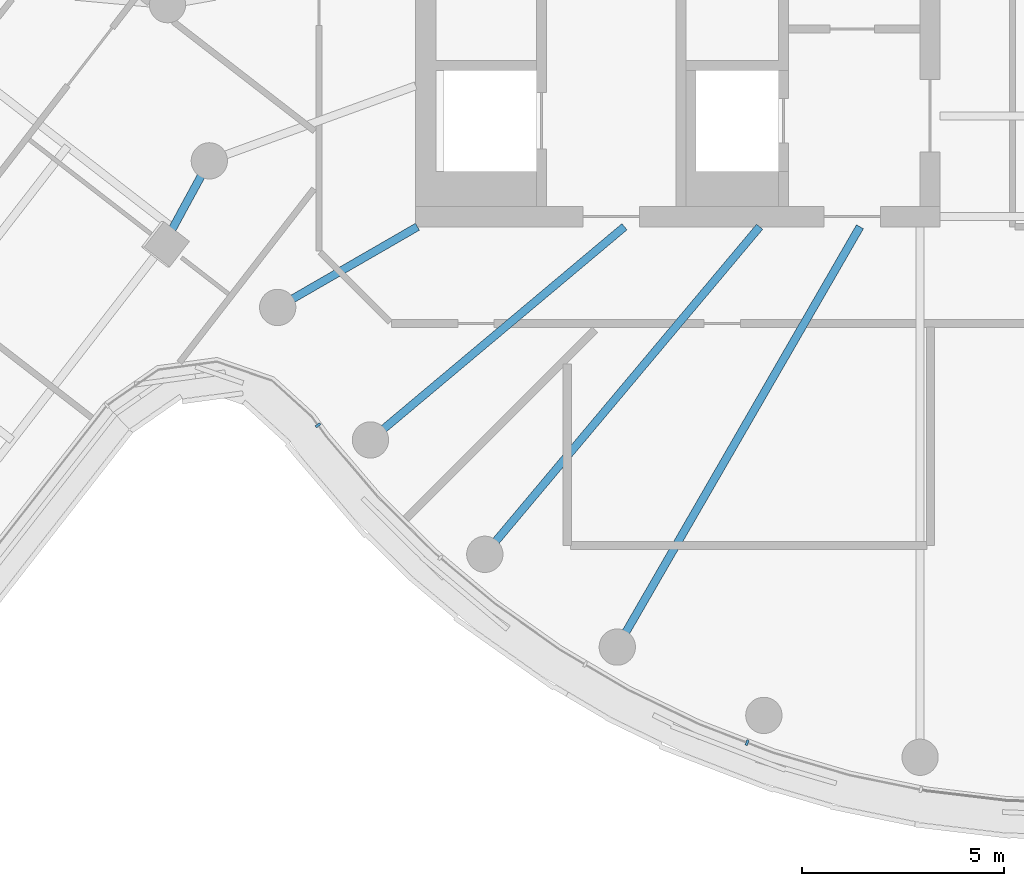
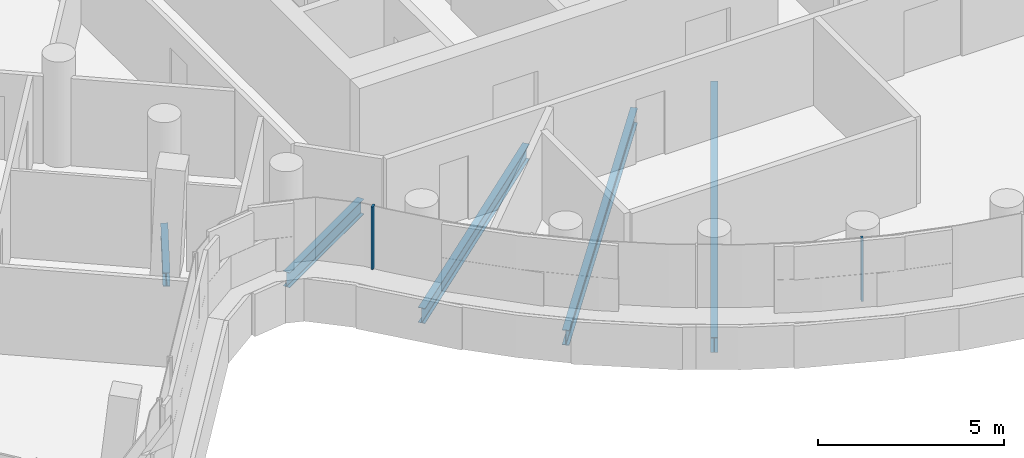
# One storey, part 3 of 26: 5 beams, 2 members, 1 element without a shape of its own.
"""IFC4 building model written with IfcOpenShell, lengths in metres."""

from ifc_helpers import new_model, si_unit, direction, frame, origin, origin_2d, place, context, subcontext, project, spatial, rectangle, i_section, extrude, material, layer, layer_set, material_profile, profile_set, type_object, element, aggregate, save


model = new_model("IFC4")

# Units and contexts
model_context = context("Model", 3, precision=1e-05, world=origin(), true_north=direction((0.0, 1.0)))
body_context = subcontext(model_context, "Body", "Model", "MODEL_VIEW")
ifc_project = project(units=[si_unit("LENGTHUNIT", "METRE"), si_unit("AREAUNIT", "SQUARE_METRE"), si_unit("VOLUMEUNIT", "CUBIC_METRE"), si_unit("PLANEANGLEUNIT", "RADIAN"), si_unit("MASSUNIT", "GRAM", prefix="KILO")], contexts=[model_context])

# Site, building, storey
site_placement = place(None, origin())
site = spatial("IfcSite", under=ifc_project, at=site_placement, CompositionType="ELEMENT")
building_placement = place(site_placement, origin())
building = spatial("IfcBuilding", under=site, at=building_placement, Name="Tamarind Cross Interchange Tower", CompositionType="ELEMENT")
storey_placement = place(building_placement, frame((0.0, 0.0, 223.5)))
storey = spatial("IfcBuildingStorey", under=building, at=storey_placement, Name="L56", CompositionType="ELEMENT", Elevation=223.5)

# Beams
ifc_material_1 = material(Name="Steel Q355B", Category="steel")
ifc_material_profile_1 = material_profile(ifc_material_1, i_section(OverallWidth=0.198974609375, OverallDepth=0.446044921875, WebThickness=0.008056640625, FlangeThickness=0.011962890625, FilletRadius=0.012939453125, at=origin_2d()), Name="HN 446x199x8x12")
ifc_profile_set_1 = profile_set([ifc_material_profile_1], Name="Steel Q355B")
beam_type_1 = type_object("IfcBeamType", Name="Composite beam HN 446x199x8x12 Q355B", PredefinedType="BEAM", material=ifc_profile_set_1)
beam_1_placement = place(storey_placement, frame((-22.734375, -9.9296875, -0.363037109375), z_axis=(0.477518554775, 0.878621664794, 0.0), x_axis=(-0.878621664794, 0.477518554775, 0.0)))
element("IfcBeam", 1, at=beam_1_placement, inside=storey, type_object=beam_type_1, Name="Beam W-linkep", PredefinedType="BEAM", context=body_context, shape_type="SweptSolid", body=[
    extrude(i_section(OverallWidth=0.198974609375, OverallDepth=0.446044921875, WebThickness=0.008056640625, FlangeThickness=0.011962890625, FilletRadius=0.012939453125, at=origin_2d()), origin(), (0.0, 0.0, 1.0), 2.34814453125),
])
ifc_material_profile_2 = material_profile(ifc_material_1, i_section(OverallWidth=0.198974609375, OverallDepth=0.49609375, WebThickness=0.009033203125, FlangeThickness=0.013916015625, FilletRadius=0.012939453125, at=origin_2d()), Name="HN 496x199x9x14")
ifc_profile_set_2 = profile_set([ifc_material_profile_2], Name="Steel Q355B")
beam_type_2 = type_object("IfcBeamType", Name="Composite beam HN 496x199x9x14 Q355B", PredefinedType="BEAM", material=ifc_profile_set_2)
beam_2_placement = place(storey_placement, frame((-19.918701171875, -11.5, -0.387939453125), z_axis=(0.866026010844, 0.49999894854, 0.0), x_axis=(-0.49999894854, 0.866026010844, 0.0)))
element("IfcBeam", 2, at=beam_2_placement, inside=storey, type_object=beam_type_2, Name="Beam HH21", PredefinedType="BEAM", context=body_context, shape_type="SweptSolid", body=[
    extrude(i_section(OverallWidth=0.198974609375, OverallDepth=0.49609375, WebThickness=0.009033203125, FlangeThickness=0.013916015625, FilletRadius=0.012939453125, at=origin_2d()), origin(), (0.0, 0.0, 1.0), 4.0),
])
beam_3_placement = place(storey_placement, frame((-17.619140625, -14.7841796875, -0.387939453125), z_axis=(0.766040580814, 0.642792212574, 0.0), x_axis=(-0.642792212574, 0.766040580814, 0.0)))
element("IfcBeam", 3, at=beam_3_placement, inside=storey, type_object=beam_type_2, Name="Beam HH22", PredefinedType="BEAM", context=body_context, shape_type="SweptSolid", body=[
    extrude(i_section(OverallWidth=0.198974609375, OverallDepth=0.49609375, WebThickness=0.009033203125, FlangeThickness=0.013916015625, FilletRadius=0.012939453125, at=origin_2d()), origin(), (0.0, 0.0, 1.0), 8.220703125),
])
beam_4_placement = place(storey_placement, frame((-14.7841796875, -17.619140625, -0.387939453125), z_axis=(0.642786293979, 0.766045547127, 0.0), x_axis=(-0.766045547127, 0.642786293979, 0.0)))
element("IfcBeam", 4, at=beam_4_placement, inside=storey, type_object=beam_type_2, Name="Beam HH23", PredefinedType="BEAM", context=body_context, shape_type="SweptSolid", body=[
    extrude(i_section(OverallWidth=0.198974609375, OverallDepth=0.49609375, WebThickness=0.009033203125, FlangeThickness=0.013916015625, FilletRadius=0.012939453125, at=origin_2d()), origin(), (0.0, 0.0, 1.0), 10.598876953125),
])
beam_5_placement = place(storey_placement, frame((-11.5, -19.918701171875, -0.387939453125), z_axis=(0.499993565836, 0.866029118519, 0.0), x_axis=(-0.866029118519, 0.499993565836, 0.0)))
element("IfcBeam", 5, at=beam_5_placement, inside=storey, type_object=beam_type_2, Name="Beam HH24", PredefinedType="BEAM", context=body_context, shape_type="SweptSolid", body=[
    extrude(i_section(OverallWidth=0.198974609375, OverallDepth=0.49609375, WebThickness=0.009033203125, FlangeThickness=0.013916015625, FilletRadius=0.012939453125, at=origin_2d()), origin(), (0.0, 0.0, 1.0), 12.030517578125),
])

# Curtain wall, members
ifc_material_2 = material(Name="Aluminium 6063-T6", Category="aluminium")
ifc_layer = layer(ifc_material_2, 0.139892578125)
ifc_layer_set = layer_set([ifc_layer], Name="Aluminium 6063-T6")
curtain_wall_type = type_object("IfcCurtainWallType", Name="Hotel curtain wall, 4.5 m bays", PredefinedType="NOTDEFINED", material=ifc_layer_set)
curtain_wall_placement = place(storey_placement, origin())
curtain_wall = element("IfcCurtainWall", 6, at=curtain_wall_placement, inside=storey, type_object=curtain_wall_type, Name="CWS-L56-02", PredefinedType="NOTDEFINED")
ifc_material_profile_3 = material_profile(ifc_material_2, rectangle(XDim=0.06005859375, YDim=0.139892578125, at=origin_2d()), Name="Mullion CW2")
ifc_profile_set_3 = profile_set([ifc_material_profile_3], Name="Aluminium 6063-T6")
member_type = type_object("IfcMemberType", Name="Mullion CW2", PredefinedType="MULLION", material=ifc_profile_set_3)
member_1_placement = place(storey_placement, frame((-18.919189453125, -14.419189453125, 1.39990234375), z_axis=(0.0, 0.0, 1.0), x_axis=(0.59267250255, -0.805443545334, 0.0)))
member_1 = element("IfcMember", 7, at=member_1_placement, type_object=member_type, Name="CWM-L56-02-01", PredefinedType="MULLION", context=body_context, shape_type="SweptSolid", body=[
    extrude(rectangle(XDim=0.06005859375, YDim=0.139892578125, at=origin_2d()), origin(), (0.0, 0.0, 1.0), 2.06005859375),
])
member_2_placement = place(storey_placement, frame((-8.281982421875, -22.2880859375, 1.39990234375), z_axis=(0.0, 0.0, 1.0), x_axis=(0.933146843667, -0.359495435512, 0.0)))
member_2 = element("IfcMember", 8, at=member_2_placement, type_object=member_type, Name="CWM-L56-02-04", PredefinedType="MULLION", context=body_context, shape_type="SweptSolid", body=[
    extrude(rectangle(XDim=0.06005859375, YDim=0.139892578125, at=origin_2d()), origin(), (0.0, 0.0, 1.0), 2.06005859375),
])
aggregate(curtain_wall, [member_1, member_2])

save(model, "model.ifc")
